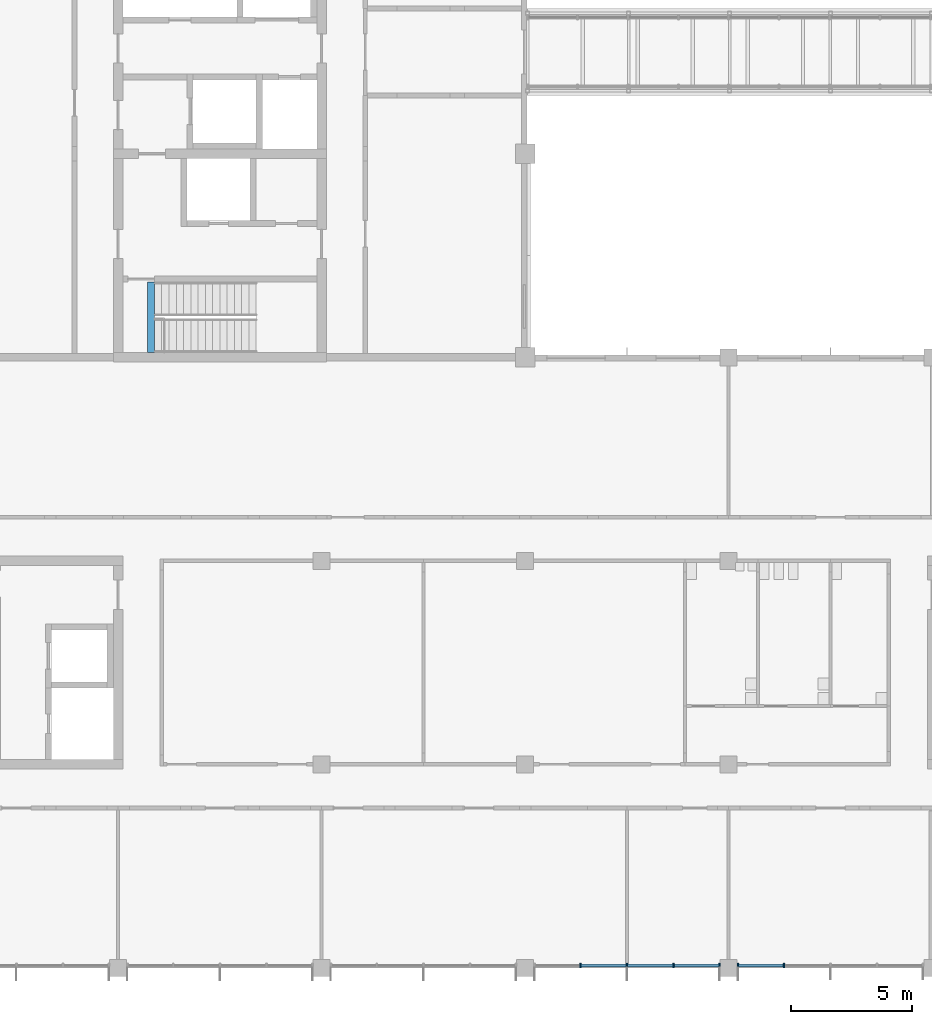
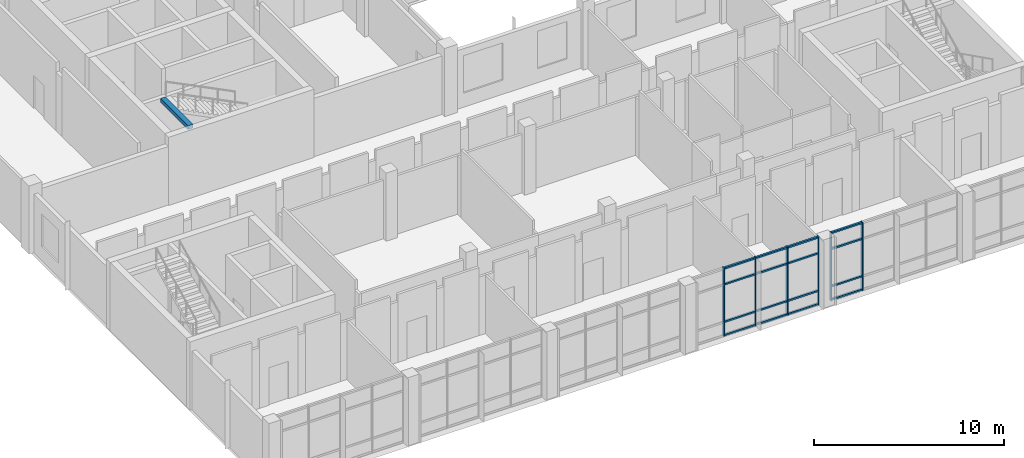
# One storey, part 7 of 70: 22 members, 1 beam, 2 elements without a shape of their own.
"""IFC4 building model written with IfcOpenShell, lengths in metres."""

import ifcopenshell
import ifcopenshell.guid

model = None  # the IFC model being written
_history = None  # IfcOwnerHistory: only IFC2X3 demands one
_inside = {}  # id of a spatial element -> (the spatial element, [elements in it])
_under = {}  # id of a project, library or spatial element -> (it, [spatial elements below it])
_declared = {}  # id of a project -> (the project, [libraries it declares])
_typed = {}  # id of a type object -> (the type object, [elements of that type])
_made_of = {}  # id of a material, layer set ... -> (it, [elements and type objects made of it])


def new_model(schema):
    """Start an empty IFC model of exactly this schema.

    Asked for "IFC4X3", IfcOpenShell would pick the latest addendum, in which some entities
    have other attributes; the version numbers below select the first issue.
    IFC2X3 requires an IfcOwnerHistory on every rooted entity: one is made here for all.
    """
    global model, _history
    if schema == "IFC4X3":
        model = ifcopenshell.file(schema_version=(4, 3, 0, 0))
    else:
        model = ifcopenshell.file(schema=schema)
    _inside.clear()
    _under.clear()
    _declared.clear()
    _typed.clear()
    _made_of.clear()
    _history = None
    if model.schema == "IFC2X3":
        org = make("IfcOrganization", Name="unknown")
        user = make(
            "IfcPersonAndOrganization",
            ThePerson=make("IfcPerson", FamilyName="unknown"),
            TheOrganization=org,
        )
        app = make(
            "IfcApplication",
            ApplicationDeveloper=org,
            Version="unknown",
            ApplicationFullName="unknown",
            ApplicationIdentifier="unknown",
        )
        _history = make(
            "IfcOwnerHistory",
            OwningUser=user,
            OwningApplication=app,
            ChangeAction="ADDED",
            CreationDate=0,
        )
    return model


def make(cls, **values):
    """One entity of the class cls with the attributes given. An attribute that is None is left unset."""
    return model.create_entity(
        cls, **{name: value for name, value in values.items() if value is not None}
    )


def rooted(cls, **values):
    """An entity with a GlobalId (a new one), such as an element, a storey or a relation."""
    return make(cls, GlobalId=ifcopenshell.guid.new(), OwnerHistory=_history, **values)


def si_unit(unit_type, name, prefix=None):
    """IfcSIUnit, for example si_unit("LENGTHUNIT", "METRE", prefix="MILLI")."""
    return make("IfcSIUnit", UnitType=unit_type, Prefix=prefix, Name=name)


def assignment(units):
    """IfcUnitAssignment: the units of a project."""
    return None if units is None else make("IfcUnitAssignment", Units=units)


def point(xyz):
    """IfcCartesianPoint."""
    return None if xyz is None else make("IfcCartesianPoint", Coordinates=xyz)


def direction(xyz):
    """IfcDirection."""
    return None if xyz is None else make("IfcDirection", DirectionRatios=xyz)


def frame(location, z_axis=None, x_axis=None):
    """IfcAxis2Placement3D, a coordinate frame: its origin and axes. An axis left out is left unset."""
    return make(
        "IfcAxis2Placement3D",
        Location=point(location),
        Axis=direction(z_axis),
        RefDirection=direction(x_axis),
    )


def frame_2d(location, x_axis=None):
    """IfcAxis2Placement2D, a coordinate frame in the plane: its origin and x axis."""
    return make(
        "IfcAxis2Placement2D", Location=point(location), RefDirection=direction(x_axis)
    )


def origin():
    """The frame at (0, 0, 0) with its axes left unset."""
    return frame((0.0, 0.0, 0.0))


def origin_2d():
    """The frame at (0, 0) in the plane with its x axis left unset."""
    return frame_2d((0.0, 0.0))


def place(relative_to, where):
    """IfcLocalPlacement: puts the frame where relative to a parent placement (None: the world)."""
    return make(
        "IfcLocalPlacement", PlacementRelTo=relative_to, RelativePlacement=where
    )


def context(
    kind, dimensions, precision=None, world=None, true_north=None, identifier=None
):
    """IfcGeometricRepresentationContext, for example the 3D "Model" context."""
    return make(
        "IfcGeometricRepresentationContext",
        ContextIdentifier=identifier,
        ContextType=kind,
        CoordinateSpaceDimension=dimensions,
        Precision=precision,
        WorldCoordinateSystem=world,
        TrueNorth=true_north,
    )


def subcontext(parent, identifier, kind, view, scale=None):
    """IfcGeometricRepresentationSubContext, for example "Body" below "Model"."""
    return make(
        "IfcGeometricRepresentationSubContext",
        ContextIdentifier=identifier,
        ContextType=kind,
        ParentContext=parent,
        TargetScale=scale,
        TargetView=view,
    )


def project(units=None, contexts=None):
    """IfcProject with its units and contexts."""
    return rooted(
        "IfcProject",
        Name="project",
        RepresentationContexts=contexts,
        UnitsInContext=assignment(units),
    )


def spatial(cls, under=None, at=None, **own):
    """A site, building, storey or space (cls), placed at a placement, below another one or the project."""
    s = rooted(cls, ObjectPlacement=at, **own)
    if under is not None:
        _under.setdefault(under.id(), (under, []))[1].append(s)
    return s


def profile(cls, at=None, kind="AREA", **sizes):
    """A parametric profile (cls). Its sizes go by their IFC names, for example OverallWidth=200.0."""
    return make(cls, ProfileType=kind, Position=at, **sizes)


def rectangle(**sizes):
    """IfcRectangleProfileDef."""
    return profile("IfcRectangleProfileDef", **sizes)


def extrude(swept, where, along, depth):
    """IfcExtrudedAreaSolid: the profile swept, set in the frame where, extruded along a direction by depth."""
    return make(
        "IfcExtrudedAreaSolid",
        SweptArea=swept,
        Position=where,
        ExtrudedDirection=direction(along),
        Depth=depth,
    )


def shape(context_of_items, identifier, shape_type, items):
    """IfcShapeRepresentation: the items that make up one representation, for example the "Body"."""
    return make(
        "IfcShapeRepresentation",
        ContextOfItems=context_of_items,
        RepresentationIdentifier=identifier,
        RepresentationType=shape_type,
        Items=items,
    )


def material(Name=None, Category=None):
    """IfcMaterial."""
    return make("IfcMaterial", Name=Name, Category=Category)


def material_profile(
    of_material, cross_section, Name=None, Category=None, Priority=None
):
    """IfcMaterialProfile: a cross section and its material."""
    return make(
        "IfcMaterialProfile",
        Name=Name,
        Material=of_material,
        Profile=cross_section,
        Priority=Priority,
        Category=Category,
    )


def profile_set(profiles, Name=None, composite=None):
    """IfcMaterialProfileSet."""
    return make(
        "IfcMaterialProfileSet",
        Name=Name,
        MaterialProfiles=profiles,
        CompositeProfile=composite,
    )


def made_of(thing, what):
    """Note that an element or type object is made of a material, layer set ...; save() writes the relation."""
    if what is not None:
        _made_of.setdefault(what.id(), (what, []))[1].append(thing)
    return thing


def type_object(cls, material=None, **own):
    """A type object (cls), such as IfcWallType, which elements share."""
    return made_of(rooted(cls, **own), material)


def element(
    cls,
    number,
    at=None,
    inside=None,
    cuts=None,
    type_object=None,
    material=None,
    context=None,
    identifier="Body",
    shape_type=None,
    held_by="IfcProductDefinitionShape",
    body=None,
    shapes=None,
    **own,
):
    """One element of the class cls, such as IfcWall. Its Tag is "e" and its number.

    at: its placement. inside: the storey or other place that contains it. cuts: it is an
    opening in that element (IfcRelVoidsElement). A single representation is given by context,
    identifier, shape_type and body (its items); several are given by shapes. held_by: the class
    of the entity that holds the representations. save() writes the other relations.
    """
    e = rooted(cls, Tag="e%d" % number, ObjectPlacement=at, **own)
    if body is not None:
        shapes = [shape(context, identifier, shape_type, body)]
    if shapes is not None:
        e.Representation = make(held_by, Representations=shapes)
    if inside is not None:
        _inside.setdefault(inside.id(), (inside, []))[1].append(e)
    if cuts is not None:
        rooted(
            "IfcRelVoidsElement", RelatingBuildingElement=cuts, RelatedOpeningElement=e
        )
    if type_object is not None:
        _typed.setdefault(type_object.id(), (type_object, []))[1].append(e)
    return made_of(e, material)


def aggregate(whole, parts):
    """IfcRelAggregates: a whole, such as a stair, and the parts it consists of."""
    return rooted("IfcRelAggregates", RelatingObject=whole, RelatedObjects=parts)


def save(model, path):
    """Write the relations noted so far, then the file.

    IfcRelAggregates (storeys below a building ...), IfcRelContainedInSpatialStructure (elements
    in a storey), IfcRelDefinesByType, IfcRelAssociatesMaterial and IfcRelDeclares: one each for
    every whole, place, type object, material and project.
    """
    for whole, parts in _under.values():
        aggregate(whole, parts)
    for where, things in _inside.values():
        rooted(
            "IfcRelContainedInSpatialStructure",
            RelatedElements=things,
            RelatingStructure=where,
        )
    for kind, things in _typed.values():
        rooted("IfcRelDefinesByType", RelatedObjects=things, RelatingType=kind)
    for what, things in _made_of.values():
        rooted("IfcRelAssociatesMaterial", RelatedObjects=things, RelatingMaterial=what)
    for by, libraries in _declared.values():
        rooted("IfcRelDeclares", RelatingContext=by, RelatedDefinitions=libraries)
    model.write(path)


model = new_model("IFC4")

# Units and contexts
model_context = context("Model", 3, precision=1e-05, world=origin(), true_north=direction((0.0, 1.0)))
body_context = subcontext(model_context, "Body", "Model", "MODEL_VIEW")
ifc_project = project(units=[si_unit("LENGTHUNIT", "METRE"), si_unit("AREAUNIT", "SQUARE_METRE"), si_unit("VOLUMEUNIT", "CUBIC_METRE"), si_unit("PLANEANGLEUNIT", "RADIAN"), si_unit("MASSUNIT", "GRAM", prefix="KILO")], contexts=[model_context])

# Site, building, storey
site_placement = place(None, origin())
site = spatial("IfcSite", under=ifc_project, at=site_placement, CompositionType="ELEMENT")
building_placement = place(site_placement, origin())
building = spatial("IfcBuilding", under=site, at=building_placement, Name="Hlaing Beacon Police Headquarters", CompositionType="ELEMENT")
storey_placement = place(building_placement, frame((0.0, 0.0, 5.39990234375)))
storey = spatial("IfcBuildingStorey", under=building, at=storey_placement, Name="L01", CompositionType="ELEMENT", Elevation=5.39990234375)

# Curtain wall, members
ifc_material_1 = material(Name="Aluminium frame with solar control glazing", Category="aluminium")
curtain_wall_type = type_object("IfcCurtainWallType", Name="Unitised curtain wall 7.70 x 4.37", PredefinedType="NOTDEFINED", material=ifc_material_1)
curtain_wall_1_placement = place(storey_placement, origin())
curtain_wall_1 = element("IfcCurtainWall", 1, at=curtain_wall_1_placement, inside=storey, type_object=curtain_wall_type, Name="ENV-CW-L01-S014", PredefinedType="NOTDEFINED")
ifc_material_2 = material(Name="Aluminium", Category="aluminium")
ifc_material_profile_1 = material_profile(ifc_material_2, rectangle(XDim=0.199951171875, YDim=0.06005859375, at=origin_2d()), Name="Mullion 60x200")
ifc_profile_set_1 = profile_set([ifc_material_profile_1], Name="Aluminium")
member_type_1 = type_object("IfcMemberType", Name="Mullion 60x200", PredefinedType="MULLION", material=ifc_profile_set_1)
member_1_placement = place(storey_placement, frame((35.875, 8.5, 0.0), z_axis=(0.0, 0.0, 1.0), x_axis=(0.0, 1.0, 0.0)))
member_1 = element("IfcMember", 2, at=member_1_placement, type_object=member_type_1, Name="CW-L01-S014 mullion 2", PredefinedType="MULLION", context=body_context, shape_type="SweptSolid", body=[
    extrude(rectangle(XDim=0.199951171875, YDim=0.06005859375, at=origin_2d()), origin(), (0.0, 0.0, 1.0), 4.3701171875),
])
member_2_placement = place(storey_placement, frame((37.800048828125, 8.5, 0.0), z_axis=(0.0, 0.0, 1.0), x_axis=(0.0, 1.0, 0.0)))
member_2 = element("IfcMember", 3, at=member_2_placement, type_object=member_type_1, Name="CW-L01-S014 mullion 3", PredefinedType="MULLION", context=body_context, shape_type="SweptSolid", body=[
    extrude(rectangle(XDim=0.199951171875, YDim=0.06005859375, at=origin_2d()), origin(), (0.0, 0.0, 1.0), 4.3701171875),
])
member_3_placement = place(storey_placement, frame((39.72509765625, 8.5, 0.0), z_axis=(0.0, 0.0, 1.0), x_axis=(0.0, 1.0, 0.0)))
member_3 = element("IfcMember", 4, at=member_3_placement, type_object=member_type_1, Name="CW-L01-S014 mullion 4", PredefinedType="MULLION", context=body_context, shape_type="SweptSolid", body=[
    extrude(rectangle(XDim=0.199951171875, YDim=0.06005859375, at=origin_2d()), origin(), (0.0, 0.0, 1.0), 4.3701171875),
])
member_4_placement = place(storey_placement, frame((41.6201171875, 8.5, 0.0), z_axis=(0.0, 0.0, 1.0), x_axis=(0.0, 1.0, 0.0)))
member_4 = element("IfcMember", 5, at=member_4_placement, type_object=member_type_1, Name="CW-L01-S014 mullion 5", PredefinedType="MULLION", context=body_context, shape_type="SweptSolid", body=[
    extrude(rectangle(XDim=0.199951171875, YDim=0.06005859375, at=origin_2d()), origin(), (0.0, 0.0, 1.0), 4.3701171875),
])

curtain_wall_2_placement = place(storey_placement, origin())
curtain_wall_2 = element("IfcCurtainWall", 6, at=curtain_wall_2_placement, inside=storey, type_object=curtain_wall_type, Name="ENV-CW-L01-S015", PredefinedType="NOTDEFINED")
member_5_placement = place(storey_placement, frame((42.3798828125, 8.5, 0.0), z_axis=(0.0, 0.0, 1.0), x_axis=(0.0, 1.0, 0.0)))
member_5 = element("IfcMember", 7, at=member_5_placement, type_object=member_type_1, Name="CW-L01-S015 mullion 1", PredefinedType="MULLION", context=body_context, shape_type="SweptSolid", body=[
    extrude(rectangle(XDim=0.199951171875, YDim=0.06005859375, at=origin_2d()), origin(), (0.0, 0.0, 1.0), 4.3701171875),
])
member_6_placement = place(storey_placement, frame((44.27490234375, 8.5, 0.0), z_axis=(0.0, 0.0, 1.0), x_axis=(0.0, 1.0, 0.0)))
member_6 = element("IfcMember", 8, at=member_6_placement, type_object=member_type_1, Name="CW-L01-S015 mullion 2", PredefinedType="MULLION", context=body_context, shape_type="SweptSolid", body=[
    extrude(rectangle(XDim=0.199951171875, YDim=0.06005859375, at=origin_2d()), origin(), (0.0, 0.0, 1.0), 4.3701171875),
])

# Beam
ifc_material_3 = material(Name="Concrete C40/50", Category="concrete")
ifc_material_profile_2 = material_profile(ifc_material_3, rectangle(XDim=0.300048828125, YDim=0.25, at=origin_2d()), Name="Stair arrival beam 300x250")
ifc_profile_set_2 = profile_set([ifc_material_profile_2], Name="Concrete C40/50")
beam_type = type_object("IfcBeamType", Name="Stair arrival beam 300x250", PredefinedType="BEAM", material=ifc_profile_set_2)
beam_placement = place(storey_placement, frame((18.159912109375, 33.800048828125, 4.2451171875), z_axis=(0.0, 1.0, 0.0), x_axis=(-1.0, 0.0, 0.0)))
element("IfcBeam", 9, at=beam_placement, inside=storey, type_object=beam_type, Name="Stair arrival beam ST-N", PredefinedType="BEAM", context=body_context, shape_type="SweptSolid", body=[
    extrude(rectangle(XDim=0.300048828125, YDim=0.25, at=origin_2d()), origin(), (0.0, 0.0, 1.0), 2.89990234375),
])

# Member
ifc_material_4 = material(Name="Aluminium", Category="aluminium")
ifc_material_profile_3 = material_profile(ifc_material_4, rectangle(XDim=0.1201171875, YDim=0.10009765625, at=origin_2d()), Name="Transom 120x100")
ifc_profile_set_3 = profile_set([ifc_material_profile_3], Name="Aluminium")
member_type_2 = type_object("IfcMemberType", Name="Transom 120x100", PredefinedType="USERDEFINED", material=ifc_profile_set_3)
member_7_placement = place(storey_placement, frame((35.905029296875, 8.5, 0.050048828125), z_axis=(1.0, 0.0, 0.0), x_axis=(0.0, 1.0, 0.0)))
member_7 = element("IfcMember", 10, at=member_7_placement, type_object=member_type_2, Name="CW-L01-S014 transom 2.1", ObjectType="TRANSOM", PredefinedType="USERDEFINED", context=body_context, shape_type="SweptSolid", body=[
    extrude(rectangle(XDim=0.1201171875, YDim=0.10009765625, at=origin_2d()), origin(), (0.0, 0.0, 1.0), 1.864990234375),
])

member_8_placement = place(storey_placement, frame((35.905029296875, 8.5, 0.900146484375), z_axis=(1.0, 0.0, 0.0), x_axis=(0.0, 1.0, 0.0)))
member_8 = element("IfcMember", 11, at=member_8_placement, type_object=member_type_2, Name="CW-L01-S014 transom 2.2", ObjectType="TRANSOM", PredefinedType="USERDEFINED", context=body_context, shape_type="SweptSolid", body=[
    extrude(rectangle(XDim=0.1201171875, YDim=0.10009765625, at=origin_2d()), origin(), (0.0, 0.0, 1.0), 1.864990234375),
])

member_9_placement = place(storey_placement, frame((35.905029296875, 8.5, 3.300048828125), z_axis=(1.0, 0.0, 0.0), x_axis=(0.0, 1.0, 0.0)))
member_9 = element("IfcMember", 12, at=member_9_placement, type_object=member_type_2, Name="CW-L01-S014 transom 2.3", ObjectType="TRANSOM", PredefinedType="USERDEFINED", context=body_context, shape_type="SweptSolid", body=[
    extrude(rectangle(XDim=0.1201171875, YDim=0.10009765625, at=origin_2d()), origin(), (0.0, 0.0, 1.0), 1.864990234375),
])

member_10_placement = place(storey_placement, frame((35.905029296875, 8.5, 4.320068359375), z_axis=(1.0, 0.0, 0.0), x_axis=(0.0, 1.0, 0.0)))
member_10 = element("IfcMember", 13, at=member_10_placement, type_object=member_type_2, Name="CW-L01-S014 transom 2.4", ObjectType="TRANSOM", PredefinedType="USERDEFINED", context=body_context, shape_type="SweptSolid", body=[
    extrude(rectangle(XDim=0.1201171875, YDim=0.10009765625, at=origin_2d()), origin(), (0.0, 0.0, 1.0), 1.864990234375),
])

member_11_placement = place(storey_placement, frame((37.830078125, 8.5, 0.050048828125), z_axis=(1.0, 0.0, 0.0), x_axis=(0.0, 1.0, 0.0)))
member_11 = element("IfcMember", 14, at=member_11_placement, type_object=member_type_2, Name="CW-L01-S014 transom 3.1", ObjectType="TRANSOM", PredefinedType="USERDEFINED", context=body_context, shape_type="SweptSolid", body=[
    extrude(rectangle(XDim=0.1201171875, YDim=0.10009765625, at=origin_2d()), origin(), (0.0, 0.0, 1.0), 1.864990234375),
])

member_12_placement = place(storey_placement, frame((37.830078125, 8.5, 0.900146484375), z_axis=(1.0, 0.0, 0.0), x_axis=(0.0, 1.0, 0.0)))
member_12 = element("IfcMember", 15, at=member_12_placement, type_object=member_type_2, Name="CW-L01-S014 transom 3.2", ObjectType="TRANSOM", PredefinedType="USERDEFINED", context=body_context, shape_type="SweptSolid", body=[
    extrude(rectangle(XDim=0.1201171875, YDim=0.10009765625, at=origin_2d()), origin(), (0.0, 0.0, 1.0), 1.864990234375),
])

member_13_placement = place(storey_placement, frame((37.830078125, 8.5, 3.300048828125), z_axis=(1.0, 0.0, 0.0), x_axis=(0.0, 1.0, 0.0)))
member_13 = element("IfcMember", 16, at=member_13_placement, type_object=member_type_2, Name="CW-L01-S014 transom 3.3", ObjectType="TRANSOM", PredefinedType="USERDEFINED", context=body_context, shape_type="SweptSolid", body=[
    extrude(rectangle(XDim=0.1201171875, YDim=0.10009765625, at=origin_2d()), origin(), (0.0, 0.0, 1.0), 1.864990234375),
])

member_14_placement = place(storey_placement, frame((37.830078125, 8.5, 4.320068359375), z_axis=(1.0, 0.0, 0.0), x_axis=(0.0, 1.0, 0.0)))
member_14 = element("IfcMember", 17, at=member_14_placement, type_object=member_type_2, Name="CW-L01-S014 transom 3.4", ObjectType="TRANSOM", PredefinedType="USERDEFINED", context=body_context, shape_type="SweptSolid", body=[
    extrude(rectangle(XDim=0.1201171875, YDim=0.10009765625, at=origin_2d()), origin(), (0.0, 0.0, 1.0), 1.864990234375),
])

member_15_placement = place(storey_placement, frame((39.7548828125, 8.5, 0.050048828125), z_axis=(1.0, 0.0, 0.0), x_axis=(0.0, 1.0, 0.0)))
member_15 = element("IfcMember", 18, at=member_15_placement, type_object=member_type_2, Name="CW-L01-S014 transom 4.1", ObjectType="TRANSOM", PredefinedType="USERDEFINED", context=body_context, shape_type="SweptSolid", body=[
    extrude(rectangle(XDim=0.1201171875, YDim=0.10009765625, at=origin_2d()), origin(), (0.0, 0.0, 1.0), 1.835205078125),
])

member_16_placement = place(storey_placement, frame((39.7548828125, 8.5, 0.900146484375), z_axis=(1.0, 0.0, 0.0), x_axis=(0.0, 1.0, 0.0)))
member_16 = element("IfcMember", 19, at=member_16_placement, type_object=member_type_2, Name="CW-L01-S014 transom 4.2", ObjectType="TRANSOM", PredefinedType="USERDEFINED", context=body_context, shape_type="SweptSolid", body=[
    extrude(rectangle(XDim=0.1201171875, YDim=0.10009765625, at=origin_2d()), origin(), (0.0, 0.0, 1.0), 1.835205078125),
])

member_17_placement = place(storey_placement, frame((39.7548828125, 8.5, 3.300048828125), z_axis=(1.0, 0.0, 0.0), x_axis=(0.0, 1.0, 0.0)))
member_17 = element("IfcMember", 20, at=member_17_placement, type_object=member_type_2, Name="CW-L01-S014 transom 4.3", ObjectType="TRANSOM", PredefinedType="USERDEFINED", context=body_context, shape_type="SweptSolid", body=[
    extrude(rectangle(XDim=0.1201171875, YDim=0.10009765625, at=origin_2d()), origin(), (0.0, 0.0, 1.0), 1.835205078125),
])

member_18_placement = place(storey_placement, frame((39.7548828125, 8.5, 4.320068359375), z_axis=(1.0, 0.0, 0.0), x_axis=(0.0, 1.0, 0.0)))
member_18 = element("IfcMember", 21, at=member_18_placement, type_object=member_type_2, Name="CW-L01-S014 transom 4.4", ObjectType="TRANSOM", PredefinedType="USERDEFINED", context=body_context, shape_type="SweptSolid", body=[
    extrude(rectangle(XDim=0.1201171875, YDim=0.10009765625, at=origin_2d()), origin(), (0.0, 0.0, 1.0), 1.835205078125),
])

aggregate(curtain_wall_1, [member_1, member_2, member_3, member_4, member_7, member_8, member_9, member_10, member_11, member_12, member_13, member_14, member_15, member_16, member_17, member_18])

member_19_placement = place(storey_placement, frame((42.409912109375, 8.5, 0.050048828125), z_axis=(1.0, 0.0, 0.0), x_axis=(0.0, 1.0, 0.0)))
member_19 = element("IfcMember", 22, at=member_19_placement, type_object=member_type_2, Name="CW-L01-S015 transom 1.1", ObjectType="TRANSOM", PredefinedType="USERDEFINED", context=body_context, shape_type="SweptSolid", body=[
    extrude(rectangle(XDim=0.1201171875, YDim=0.10009765625, at=origin_2d()), origin(), (0.0, 0.0, 1.0), 1.835205078125),
])

member_20_placement = place(storey_placement, frame((42.409912109375, 8.5, 0.900146484375), z_axis=(1.0, 0.0, 0.0), x_axis=(0.0, 1.0, 0.0)))
member_20 = element("IfcMember", 23, at=member_20_placement, type_object=member_type_2, Name="CW-L01-S015 transom 1.2", ObjectType="TRANSOM", PredefinedType="USERDEFINED", context=body_context, shape_type="SweptSolid", body=[
    extrude(rectangle(XDim=0.1201171875, YDim=0.10009765625, at=origin_2d()), origin(), (0.0, 0.0, 1.0), 1.835205078125),
])

member_21_placement = place(storey_placement, frame((42.409912109375, 8.5, 3.300048828125), z_axis=(1.0, 0.0, 0.0), x_axis=(0.0, 1.0, 0.0)))
member_21 = element("IfcMember", 24, at=member_21_placement, type_object=member_type_2, Name="CW-L01-S015 transom 1.3", ObjectType="TRANSOM", PredefinedType="USERDEFINED", context=body_context, shape_type="SweptSolid", body=[
    extrude(rectangle(XDim=0.1201171875, YDim=0.10009765625, at=origin_2d()), origin(), (0.0, 0.0, 1.0), 1.835205078125),
])

member_22_placement = place(storey_placement, frame((42.409912109375, 8.5, 4.320068359375), z_axis=(1.0, 0.0, 0.0), x_axis=(0.0, 1.0, 0.0)))
member_22 = element("IfcMember", 25, at=member_22_placement, type_object=member_type_2, Name="CW-L01-S015 transom 1.4", ObjectType="TRANSOM", PredefinedType="USERDEFINED", context=body_context, shape_type="SweptSolid", body=[
    extrude(rectangle(XDim=0.1201171875, YDim=0.10009765625, at=origin_2d()), origin(), (0.0, 0.0, 1.0), 1.835205078125),
])

aggregate(curtain_wall_2, [member_5, member_6, member_19, member_20, member_21, member_22])

save(model, "model.ifc")
